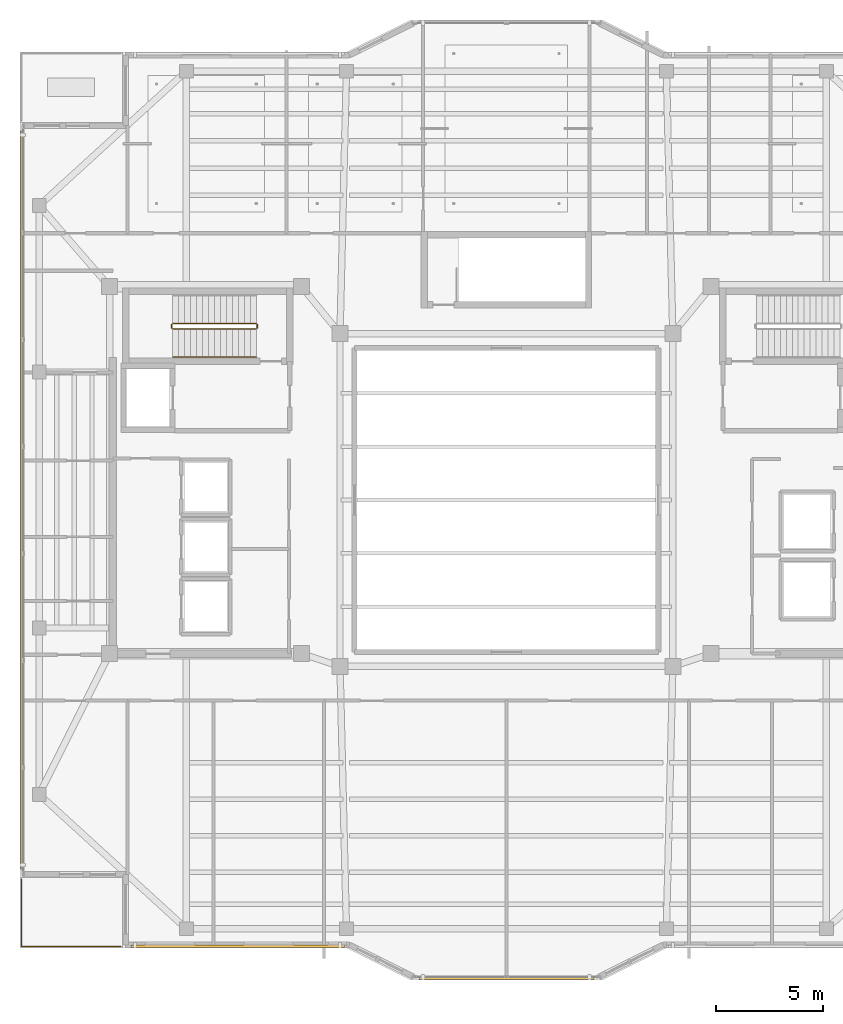
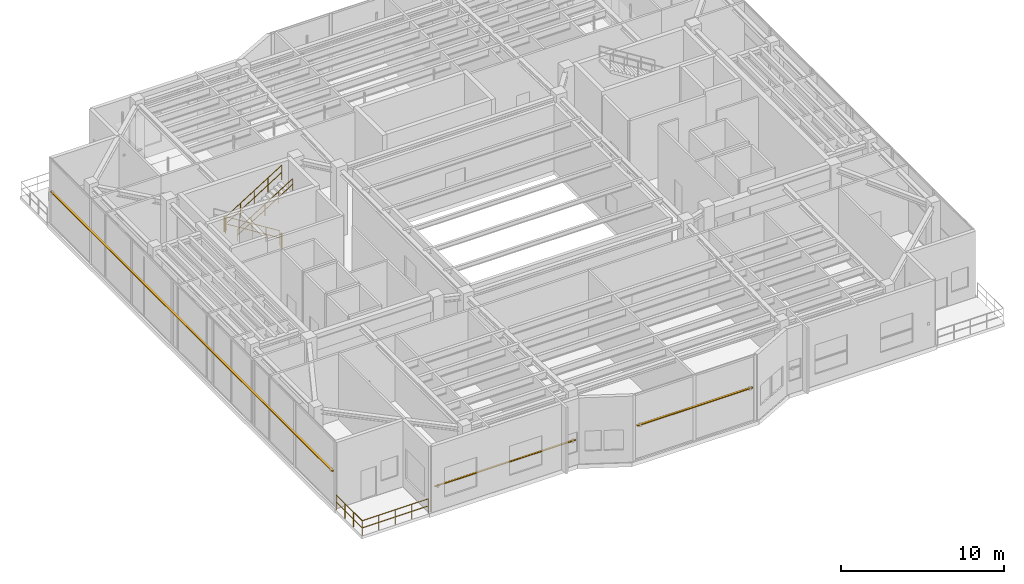
# One storey, part 21 of 23: 7 railings, 3 shading devices.
"""IFC4 building model written with IfcOpenShell, lengths in metres."""

import ifcopenshell
import ifcopenshell.guid

model = None  # the IFC model being written
_history = None  # IfcOwnerHistory: only IFC2X3 demands one
_inside = {}  # id of a spatial element -> (the spatial element, [elements in it])
_under = {}  # id of a project, library or spatial element -> (it, [spatial elements below it])
_declared = {}  # id of a project -> (the project, [libraries it declares])
_typed = {}  # id of a type object -> (the type object, [elements of that type])
_made_of = {}  # id of a material, layer set ... -> (it, [elements and type objects made of it])


def new_model(schema):
    """Start an empty IFC model of exactly this schema.

    Asked for "IFC4X3", IfcOpenShell would pick the latest addendum, in which some entities
    have other attributes; the version numbers below select the first issue.
    IFC2X3 requires an IfcOwnerHistory on every rooted entity: one is made here for all.
    """
    global model, _history
    if schema == "IFC4X3":
        model = ifcopenshell.file(schema_version=(4, 3, 0, 0))
    else:
        model = ifcopenshell.file(schema=schema)
    _inside.clear()
    _under.clear()
    _declared.clear()
    _typed.clear()
    _made_of.clear()
    _history = None
    if model.schema == "IFC2X3":
        org = make("IfcOrganization", Name="unknown")
        user = make(
            "IfcPersonAndOrganization",
            ThePerson=make("IfcPerson", FamilyName="unknown"),
            TheOrganization=org,
        )
        app = make(
            "IfcApplication",
            ApplicationDeveloper=org,
            Version="unknown",
            ApplicationFullName="unknown",
            ApplicationIdentifier="unknown",
        )
        _history = make(
            "IfcOwnerHistory",
            OwningUser=user,
            OwningApplication=app,
            ChangeAction="ADDED",
            CreationDate=0,
        )
    return model


def make(cls, **values):
    """One entity of the class cls with the attributes given. An attribute that is None is left unset."""
    return model.create_entity(
        cls, **{name: value for name, value in values.items() if value is not None}
    )


def rooted(cls, **values):
    """An entity with a GlobalId (a new one), such as an element, a storey or a relation."""
    return make(cls, GlobalId=ifcopenshell.guid.new(), OwnerHistory=_history, **values)


def si_unit(unit_type, name, prefix=None):
    """IfcSIUnit, for example si_unit("LENGTHUNIT", "METRE", prefix="MILLI")."""
    return make("IfcSIUnit", UnitType=unit_type, Prefix=prefix, Name=name)


def assignment(units):
    """IfcUnitAssignment: the units of a project."""
    return None if units is None else make("IfcUnitAssignment", Units=units)


def point(xyz):
    """IfcCartesianPoint."""
    return None if xyz is None else make("IfcCartesianPoint", Coordinates=xyz)


def direction(xyz):
    """IfcDirection."""
    return None if xyz is None else make("IfcDirection", DirectionRatios=xyz)


def frame(location, z_axis=None, x_axis=None):
    """IfcAxis2Placement3D, a coordinate frame: its origin and axes. An axis left out is left unset."""
    return make(
        "IfcAxis2Placement3D",
        Location=point(location),
        Axis=direction(z_axis),
        RefDirection=direction(x_axis),
    )


def frame_2d(location, x_axis=None):
    """IfcAxis2Placement2D, a coordinate frame in the plane: its origin and x axis."""
    return make(
        "IfcAxis2Placement2D", Location=point(location), RefDirection=direction(x_axis)
    )


def origin():
    """The frame at (0, 0, 0) with its axes left unset."""
    return frame((0.0, 0.0, 0.0))


def origin_2d():
    """The frame at (0, 0) in the plane with its x axis left unset."""
    return frame_2d((0.0, 0.0))


def place(relative_to, where):
    """IfcLocalPlacement: puts the frame where relative to a parent placement (None: the world)."""
    return make(
        "IfcLocalPlacement", PlacementRelTo=relative_to, RelativePlacement=where
    )


def context(
    kind, dimensions, precision=None, world=None, true_north=None, identifier=None
):
    """IfcGeometricRepresentationContext, for example the 3D "Model" context."""
    return make(
        "IfcGeometricRepresentationContext",
        ContextIdentifier=identifier,
        ContextType=kind,
        CoordinateSpaceDimension=dimensions,
        Precision=precision,
        WorldCoordinateSystem=world,
        TrueNorth=true_north,
    )


def subcontext(parent, identifier, kind, view, scale=None):
    """IfcGeometricRepresentationSubContext, for example "Body" below "Model"."""
    return make(
        "IfcGeometricRepresentationSubContext",
        ContextIdentifier=identifier,
        ContextType=kind,
        ParentContext=parent,
        TargetScale=scale,
        TargetView=view,
    )


def project(units=None, contexts=None):
    """IfcProject with its units and contexts."""
    return rooted(
        "IfcProject",
        Name="project",
        RepresentationContexts=contexts,
        UnitsInContext=assignment(units),
    )


def spatial(cls, under=None, at=None, **own):
    """A site, building, storey or space (cls), placed at a placement, below another one or the project."""
    s = rooted(cls, ObjectPlacement=at, **own)
    if under is not None:
        _under.setdefault(under.id(), (under, []))[1].append(s)
    return s


def profile(cls, at=None, kind="AREA", **sizes):
    """A parametric profile (cls). Its sizes go by their IFC names, for example OverallWidth=200.0."""
    return make(cls, ProfileType=kind, Position=at, **sizes)


def rectangle(**sizes):
    """IfcRectangleProfileDef."""
    return profile("IfcRectangleProfileDef", **sizes)


def circle(**sizes):
    """IfcCircleProfileDef."""
    return profile("IfcCircleProfileDef", **sizes)


def extrude(swept, where, along, depth):
    """IfcExtrudedAreaSolid: the profile swept, set in the frame where, extruded along a direction by depth."""
    return make(
        "IfcExtrudedAreaSolid",
        SweptArea=swept,
        Position=where,
        ExtrudedDirection=direction(along),
        Depth=depth,
    )


def shape(context_of_items, identifier, shape_type, items):
    """IfcShapeRepresentation: the items that make up one representation, for example the "Body"."""
    return make(
        "IfcShapeRepresentation",
        ContextOfItems=context_of_items,
        RepresentationIdentifier=identifier,
        RepresentationType=shape_type,
        Items=items,
    )


def material(Name=None, Category=None):
    """IfcMaterial."""
    return make("IfcMaterial", Name=Name, Category=Category)


def material_profile(
    of_material, cross_section, Name=None, Category=None, Priority=None
):
    """IfcMaterialProfile: a cross section and its material."""
    return make(
        "IfcMaterialProfile",
        Name=Name,
        Material=of_material,
        Profile=cross_section,
        Priority=Priority,
        Category=Category,
    )


def profile_set(profiles, Name=None, composite=None):
    """IfcMaterialProfileSet."""
    return make(
        "IfcMaterialProfileSet",
        Name=Name,
        MaterialProfiles=profiles,
        CompositeProfile=composite,
    )


def made_of(thing, what):
    """Note that an element or type object is made of a material, layer set ...; save() writes the relation."""
    if what is not None:
        _made_of.setdefault(what.id(), (what, []))[1].append(thing)
    return thing


def type_object(cls, material=None, **own):
    """A type object (cls), such as IfcWallType, which elements share."""
    return made_of(rooted(cls, **own), material)


def element(
    cls,
    number,
    at=None,
    inside=None,
    cuts=None,
    type_object=None,
    material=None,
    context=None,
    identifier="Body",
    shape_type=None,
    held_by="IfcProductDefinitionShape",
    body=None,
    shapes=None,
    **own,
):
    """One element of the class cls, such as IfcWall. Its Tag is "e" and its number.

    at: its placement. inside: the storey or other place that contains it. cuts: it is an
    opening in that element (IfcRelVoidsElement). A single representation is given by context,
    identifier, shape_type and body (its items); several are given by shapes. held_by: the class
    of the entity that holds the representations. save() writes the other relations.
    """
    e = rooted(cls, Tag="e%d" % number, ObjectPlacement=at, **own)
    if body is not None:
        shapes = [shape(context, identifier, shape_type, body)]
    if shapes is not None:
        e.Representation = make(held_by, Representations=shapes)
    if inside is not None:
        _inside.setdefault(inside.id(), (inside, []))[1].append(e)
    if cuts is not None:
        rooted(
            "IfcRelVoidsElement", RelatingBuildingElement=cuts, RelatedOpeningElement=e
        )
    if type_object is not None:
        _typed.setdefault(type_object.id(), (type_object, []))[1].append(e)
    return made_of(e, material)


def aggregate(whole, parts):
    """IfcRelAggregates: a whole, such as a stair, and the parts it consists of."""
    return rooted("IfcRelAggregates", RelatingObject=whole, RelatedObjects=parts)


def save(model, path):
    """Write the relations noted so far, then the file.

    IfcRelAggregates (storeys below a building ...), IfcRelContainedInSpatialStructure (elements
    in a storey), IfcRelDefinesByType, IfcRelAssociatesMaterial and IfcRelDeclares: one each for
    every whole, place, type object, material and project.
    """
    for whole, parts in _under.values():
        aggregate(whole, parts)
    for where, things in _inside.values():
        rooted(
            "IfcRelContainedInSpatialStructure",
            RelatedElements=things,
            RelatingStructure=where,
        )
    for kind, things in _typed.values():
        rooted("IfcRelDefinesByType", RelatedObjects=things, RelatingType=kind)
    for what, things in _made_of.values():
        rooted("IfcRelAssociatesMaterial", RelatedObjects=things, RelatingMaterial=what)
    for by, libraries in _declared.values():
        rooted("IfcRelDeclares", RelatingContext=by, RelatedDefinitions=libraries)
    model.write(path)


model = new_model("IFC4")

# Units and contexts
model_context = context("Model", 3, precision=1e-05, world=origin(), true_north=direction((0.0, 1.0)))
body_context = subcontext(model_context, "Body", "Model", "MODEL_VIEW")
ifc_project = project(units=[si_unit("LENGTHUNIT", "METRE"), si_unit("AREAUNIT", "SQUARE_METRE"), si_unit("VOLUMEUNIT", "CUBIC_METRE"), si_unit("PLANEANGLEUNIT", "RADIAN"), si_unit("MASSUNIT", "GRAM", prefix="KILO")], contexts=[model_context])

# Site, building, storey
site_placement = place(None, origin())
site = spatial("IfcSite", under=ifc_project, at=site_placement, CompositionType="ELEMENT")
building_placement = place(site_placement, origin())
building = spatial("IfcBuilding", under=site, at=building_placement, Name="Tarnavaz Court Tower", CompositionType="ELEMENT")
storey_placement = place(building_placement, frame((0.0, 0.0, 276.300048828125)))
storey = spatial("IfcBuildingStorey", under=building, at=storey_placement, Name="L75", CompositionType="ELEMENT", Elevation=276.300048828125)

# Railings
ifc_material_1 = material(Name="Anodised Aluminium 6063-T6 and Laminated Safety Glass", Category="aluminium")
railing_type_1 = type_object("IfcRailingType", Name="RL-BAL-1120", PredefinedType="BALUSTRADE", material=ifc_material_1)
railing_1_placement = place(storey_placement, frame((-22.739990234375, -20.93994140625, 0.0)))
element("IfcRailing", 1, at=railing_1_placement, inside=storey, type_object=railing_type_1, Name="L75 Terrace 4 S Perimeter Balustrade", PredefinedType="BALUSTRADE", context=body_context, shape_type="SweptSolid", body=[
    extrude(circle(Radius=0.02392578125, at=origin_2d()), frame((0.0, 0.0, 1.09619140625), z_axis=(1.0, 0.0, 0.0), x_axis=(0.0, 1.0, 0.0)), (0.0, 0.0, 1.0), 4.679931640625),
    extrude(circle(Radius=0.02392578125, at=origin_2d()), frame((0.0, 0.0, 0.56005859375), z_axis=(1.0, 0.0, 0.0), x_axis=(0.0, 1.0, 0.0)), (0.0, 0.0, 1.0), 4.679931640625),
    extrude(circle(Radius=0.02099609375, at=origin_2d()), origin(), (0.0, 0.0, 1.0), 1.072021484375),
    extrude(circle(Radius=0.02099609375, at=origin_2d()), frame((1.169921875, 0.0, 0.0)), (0.0, 0.0, 1.0), 1.072021484375),
    extrude(circle(Radius=0.02099609375, at=origin_2d()), frame((2.33984375, 0.0, 0.0)), (0.0, 0.0, 1.0), 1.072021484375),
    extrude(circle(Radius=0.02099609375, at=origin_2d()), frame((3.510009765625, 0.0, 0.0)), (0.0, 0.0, 1.0), 1.072021484375),
    extrude(circle(Radius=0.02099609375, at=origin_2d()), frame((4.679931640625, 0.0, 0.0)), (0.0, 0.0, 1.0), 1.072021484375),
])
railing_2_placement = place(storey_placement, frame((-22.739990234375, -17.760009765625, 0.0)))
element("IfcRailing", 2, at=railing_2_placement, inside=storey, type_object=railing_type_1, Name="L75 Terrace 4 W Perimeter Balustrade", PredefinedType="BALUSTRADE", context=body_context, shape_type="SweptSolid", body=[
    extrude(circle(Radius=0.02392578125, at=origin_2d()), frame((0.0, 0.0, 1.09619140625), z_axis=(0.0, -1.0, 0.0), x_axis=(1.0, 0.0, 0.0)), (0.0, 0.0, 1.0), 3.179931640625),
    extrude(circle(Radius=0.02392578125, at=origin_2d()), frame((0.0, 0.0, 0.56005859375), z_axis=(0.0, -1.0, 0.0), x_axis=(1.0, 0.0, 0.0)), (0.0, 0.0, 1.0), 3.179931640625),
    extrude(circle(Radius=0.02099609375, at=origin_2d()), origin(), (0.0, 0.0, 1.0), 1.072021484375),
    extrude(circle(Radius=0.02099609375, at=origin_2d()), frame((0.0, -1.06005859375, 0.0)), (0.0, 0.0, 1.0), 1.072021484375),
    extrude(circle(Radius=0.02099609375, at=origin_2d()), frame((0.0, -2.119873046875, 0.0)), (0.0, 0.0, 1.0), 1.072021484375),
    extrude(circle(Radius=0.02099609375, at=origin_2d()), frame((0.0, -3.179931640625, 0.0)), (0.0, 0.0, 1.0), 1.072021484375),
])
ifc_material_2 = material(Name="Brushed Stainless Steel", Category="steel")
railing_type_2 = type_object("IfcRailingType", Name="RL-HANDRAIL-900", PredefinedType="HANDRAIL", material=ifc_material_2)
railing_3_placement = place(storey_placement, frame((-15.639892578125, 6.699951171875, 2.800048828125)))
element("IfcRailing", 3, at=railing_3_placement, inside=storey, type_object=railing_type_2, Name="L75 ST-W1 stair handrail 2", PredefinedType="HANDRAIL", context=body_context, shape_type="SweptSolid", body=[
    extrude(circle(Radius=0.02392578125, at=origin_2d()), frame((0.0, 0.0, 0.8759765625), z_axis=(0.847998304005, 0.0, 0.529998940003), x_axis=(0.0, 1.0, 0.0)), (0.0, 0.0, 1.0), 4.62255859375),
    extrude(circle(Radius=0.02392578125, at=origin_2d()), frame((0.0, 0.0, 0.449951171875), z_axis=(0.847998304005, 0.0, 0.529998940003), x_axis=(0.0, 1.0, 0.0)), (0.0, 0.0, 1.0), 4.62255859375),
    extrude(circle(Radius=0.02099609375, at=origin_2d()), origin(), (0.0, 0.0, 1.0), 0.851806640625),
    extrude(circle(Radius=0.02099609375, at=origin_2d()), frame((0.97998046875, 0.0, 0.612548828125)), (0.0, 0.0, 1.0), 0.851806640625),
    extrude(circle(Radius=0.02099609375, at=origin_2d()), frame((1.9599609375, 0.0, 1.22509765625)), (0.0, 0.0, 1.0), 0.851806640625),
    extrude(circle(Radius=0.02099609375, at=origin_2d()), frame((2.93994140625, 0.0, 1.83740234375)), (0.0, 0.0, 1.0), 0.851806640625),
    extrude(circle(Radius=0.02099609375, at=origin_2d()), frame((3.919921875, 0.0, 2.449951171875)), (0.0, 0.0, 1.0), 0.851806640625),
])
ifc_material_3 = material(Name="Galvanized Painted Tubular Steel", Category="steel")
railing_type_3 = type_object("IfcRailingType", Name="RL-STGUARD-1120", PredefinedType="GUARDRAIL", material=ifc_material_3)
railing_4_placement = place(storey_placement, frame((-11.719970703125, 8.27001953125, 0.175048828125)))
element("IfcRailing", 4, at=railing_4_placement, inside=storey, type_object=railing_type_3, Name="L75 ST-W1 stair guard 1", PredefinedType="GUARDRAIL", context=body_context, shape_type="SweptSolid", body=[
    extrude(circle(Radius=0.02392578125, at=origin_2d()), frame((0.0, 0.0, 1.09619140625), z_axis=(-0.847998304005, 0.0, 0.529998940003), x_axis=(0.0, -1.0, 0.0)), (0.0, 0.0, 1.0), 4.62255859375),
    extrude(circle(Radius=0.02392578125, at=origin_2d()), frame((0.0, 0.0, 0.56005859375), z_axis=(-0.847998304005, 0.0, 0.529998940003), x_axis=(0.0, -1.0, 0.0)), (0.0, 0.0, 1.0), 4.62255859375),
    extrude(circle(Radius=0.02099609375, at=origin_2d()), origin(), (0.0, 0.0, 1.0), 1.072021484375),
    extrude(circle(Radius=0.02099609375, at=origin_2d()), frame((-0.97998046875, 0.0, 0.612548828125)), (0.0, 0.0, 1.0), 1.072021484375),
    extrude(circle(Radius=0.02099609375, at=origin_2d()), frame((-1.9599609375, 0.0, 1.22509765625)), (0.0, 0.0, 1.0), 1.072021484375),
    extrude(circle(Radius=0.02099609375, at=origin_2d()), frame((-2.93994140625, 0.0, 1.83740234375)), (0.0, 0.0, 1.0), 1.072021484375),
    extrude(circle(Radius=0.02099609375, at=origin_2d()), frame((-3.919921875, 0.0, 2.449951171875)), (0.0, 0.0, 1.0), 1.072021484375),
])
railing_5_placement = place(storey_placement, frame((-15.68994140625, 8.219970703125, 2.625)))
element("IfcRailing", 5, at=railing_5_placement, inside=storey, type_object=railing_type_3, Name="L75 ST-W1 stair guard 2", PredefinedType="GUARDRAIL", context=body_context, shape_type="SweptSolid", body=[
    extrude(circle(Radius=0.02392578125, at=origin_2d()), frame((0.0, 0.0, 1.09619140625), z_axis=(0.0, -1.0, 0.0), x_axis=(1.0, 0.0, 0.0)), (0.0, 0.0, 1.0), 0.14990234375),
    extrude(circle(Radius=0.02392578125, at=origin_2d()), frame((0.0, 0.0, 0.56005859375), z_axis=(0.0, -1.0, 0.0), x_axis=(1.0, 0.0, 0.0)), (0.0, 0.0, 1.0), 0.14990234375),
    extrude(circle(Radius=0.02099609375, at=origin_2d()), origin(), (0.0, 0.0, 1.0), 1.072021484375),
    extrude(circle(Radius=0.02099609375, at=origin_2d()), frame((0.0, -0.14990234375, 0.0)), (0.0, 0.0, 1.0), 1.072021484375),
])
railing_6_placement = place(storey_placement, frame((-15.639892578125, 8.02001953125, 2.800048828125)))
element("IfcRailing", 6, at=railing_6_placement, inside=storey, type_object=railing_type_3, Name="L75 ST-W1 stair guard 3", PredefinedType="GUARDRAIL", context=body_context, shape_type="SweptSolid", body=[
    extrude(circle(Radius=0.02392578125, at=origin_2d()), frame((0.0, 0.0, 1.09619140625), z_axis=(0.847998304005, 0.0, 0.529998940003), x_axis=(0.0, 1.0, 0.0)), (0.0, 0.0, 1.0), 4.62255859375),
    extrude(circle(Radius=0.02392578125, at=origin_2d()), frame((0.0, 0.0, 0.56005859375), z_axis=(0.847998304005, 0.0, 0.529998940003), x_axis=(0.0, 1.0, 0.0)), (0.0, 0.0, 1.0), 4.62255859375),
    extrude(circle(Radius=0.02099609375, at=origin_2d()), origin(), (0.0, 0.0, 1.0), 1.072021484375),
    extrude(circle(Radius=0.02099609375, at=origin_2d()), frame((0.97998046875, 0.0, 0.612548828125)), (0.0, 0.0, 1.0), 1.072021484375),
    extrude(circle(Radius=0.02099609375, at=origin_2d()), frame((1.9599609375, 0.0, 1.22509765625)), (0.0, 0.0, 1.0), 1.072021484375),
    extrude(circle(Radius=0.02099609375, at=origin_2d()), frame((2.93994140625, 0.0, 1.83740234375)), (0.0, 0.0, 1.0), 1.072021484375),
    extrude(circle(Radius=0.02099609375, at=origin_2d()), frame((3.919921875, 0.0, 2.449951171875)), (0.0, 0.0, 1.0), 1.072021484375),
])
railing_7_placement = place(storey_placement, frame((-11.669921875, 8.219970703125, 0.0)))
element("IfcRailing", 7, at=railing_7_placement, inside=storey, type_object=railing_type_3, Name="L75 ST-W1 stair guard 4", PredefinedType="GUARDRAIL", context=body_context, shape_type="SweptSolid", body=[
    extrude(circle(Radius=0.02392578125, at=origin_2d()), frame((0.0, 0.0, 1.09619140625), z_axis=(0.0, -1.0, 0.0), x_axis=(1.0, 0.0, 0.0)), (0.0, 0.0, 1.0), 0.14990234375),
    extrude(circle(Radius=0.02392578125, at=origin_2d()), frame((0.0, 0.0, 0.56005859375), z_axis=(0.0, -1.0, 0.0), x_axis=(1.0, 0.0, 0.0)), (0.0, 0.0, 1.0), 0.14990234375),
    extrude(circle(Radius=0.02099609375, at=origin_2d()), origin(), (0.0, 0.0, 1.0), 1.072021484375),
    extrude(circle(Radius=0.02099609375, at=origin_2d()), frame((0.0, -0.14990234375, 0.0)), (0.0, 0.0, 1.0), 1.072021484375),
])

# Shading devices
ifc_material_4 = material(Name="Kiln-Fired Khorasan Terracotta Ceramic", Category="masonry")
ifc_material_profile_1 = material_profile(ifc_material_4, rectangle(XDim=0.1201171875, YDim=0.06005859375, at=origin_2d()), Name="TC BAGUETTE 120X60")
ifc_profile_set_1 = profile_set([ifc_material_profile_1], Name="Kiln-Fired Khorasan Terracotta Ceramic")
shading_device_type_1 = type_object("IfcShadingDeviceType", Name="SD-BAG-120", PredefinedType="USERDEFINED", material=ifc_profile_set_1)
shading_device_1_placement = place(storey_placement, frame((-7.60009765625, -20.909912109375, 1.849853515625), z_axis=(-1.0, 0.0, 0.0), x_axis=(0.0, -1.0, 0.0)))
element("IfcShadingDevice", 8, at=shading_device_1_placement, inside=storey, type_object=shading_device_type_1, Name="L75 Terracotta Baguette Screen FBG19", ObjectType="BAGUETTE", PredefinedType="USERDEFINED", context=body_context, shape_type="SweptSolid", body=[
    extrude(rectangle(XDim=0.1201171875, YDim=0.06005859375, at=origin_2d()), origin(), (0.0, 0.0, 1.0), 10.0),
])
ifc_material_profile_2 = material_profile(ifc_material_4, rectangle(XDim=0.14990234375, YDim=0.06494140625, at=origin_2d()), Name="TC BAGUETTE 150X65")
ifc_profile_set_2 = profile_set([ifc_material_profile_2], Name="Kiln-Fired Khorasan Terracotta Ceramic")
shading_device_type_2 = type_object("IfcShadingDeviceType", Name="SD-BAG-150", PredefinedType="USERDEFINED", material=ifc_profile_set_2)
shading_device_2_placement = place(storey_placement, frame((-22.7099609375, -17.300048828125, 2.599853515625), z_axis=(0.0, 1.0, 0.0), x_axis=(-1.0, 0.0, 0.0)))
element("IfcShadingDevice", 9, at=shading_device_2_placement, inside=storey, type_object=shading_device_type_2, Name="L75 Terracotta Baguette Screen OBG2", ObjectType="BAGUETTE", PredefinedType="USERDEFINED", context=body_context, shape_type="SweptSolid", body=[
    extrude(rectangle(XDim=0.14990234375, YDim=0.06494140625, at=origin_2d()), origin(), (0.0, 0.0, 1.0), 34.60009765625),
])
shading_device_3_placement = place(storey_placement, frame((4.10009765625, -22.409912109375, 2.599853515625), z_axis=(-1.0, 0.0, 0.0), x_axis=(0.0, -1.0, 0.0)))
element("IfcShadingDevice", 10, at=shading_device_3_placement, inside=storey, type_object=shading_device_type_2, Name="L75 Terracotta Baguette Screen OBG17", ObjectType="BAGUETTE", PredefinedType="USERDEFINED", context=body_context, shape_type="SweptSolid", body=[
    extrude(rectangle(XDim=0.14990234375, YDim=0.06494140625, at=origin_2d()), origin(), (0.0, 0.0, 1.0), 8.2001953125),
])

save(model, "model.ifc")
